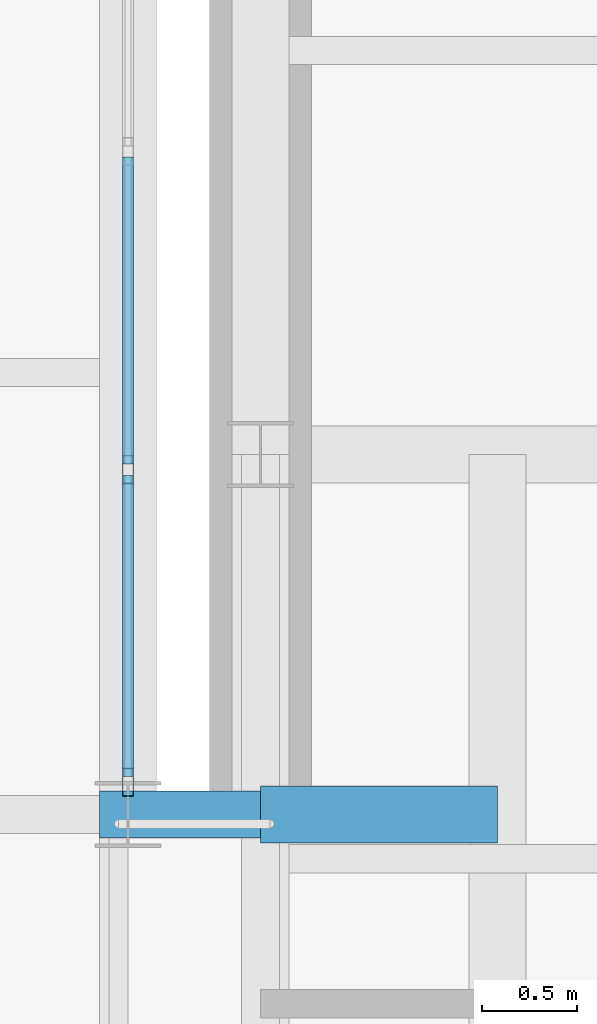
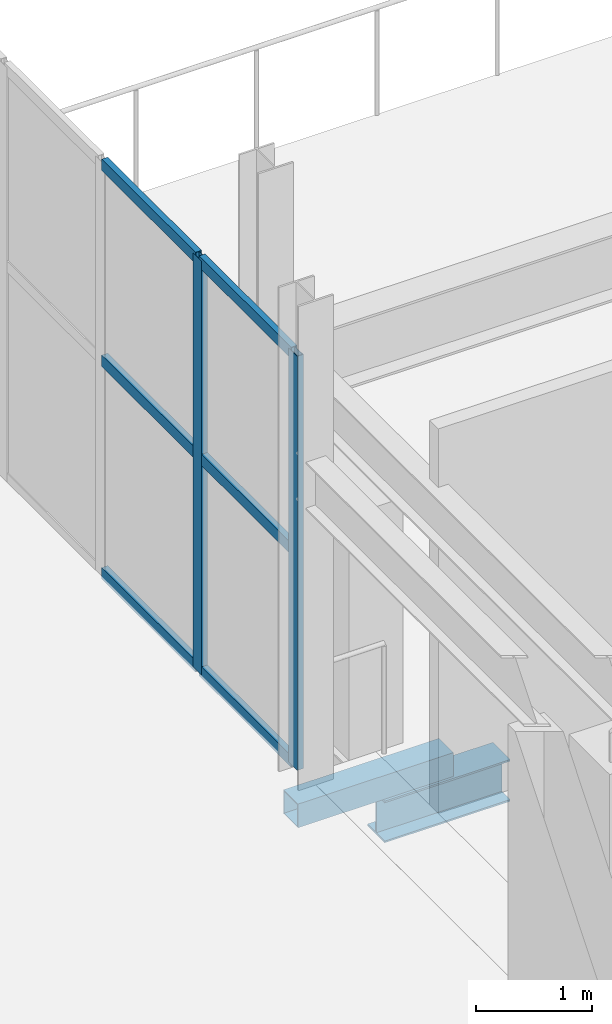
# One storey, part 45 of 218: 9 members, 1 beam, 1 element without a shape of its own.
"""IFC4 building model written with IfcOpenShell, lengths in metres."""

from ifc_helpers import new_model, si_unit, direction, frame, origin, origin_2d, place, context, subcontext, project, spatial, hollow_rectangle, i_section, extrude, material, material_profile, profile_set, type_object, element, aggregate, save


model = new_model("IFC4")

# Units and contexts
model_context = context("Model", 3, precision=1e-05, world=origin(), true_north=direction((0.0, 1.0)))
body_context = subcontext(model_context, "Body", "Model", "MODEL_VIEW")
ifc_project = project(units=[si_unit("LENGTHUNIT", "METRE"), si_unit("AREAUNIT", "SQUARE_METRE"), si_unit("VOLUMEUNIT", "CUBIC_METRE"), si_unit("PLANEANGLEUNIT", "RADIAN"), si_unit("MASSUNIT", "GRAM", prefix="KILO")], contexts=[model_context])

# Site, building, storey
site_placement = place(None, origin())
site = spatial("IfcSite", under=ifc_project, at=site_placement, CompositionType="ELEMENT")
building_placement = place(site_placement, origin())
building = spatial("IfcBuilding", under=site, at=building_placement, Name="Kazenagashi Tramway Depot", CompositionType="ELEMENT")
storey_placement = place(building_placement, frame((0.0, 0.0, 6.0)))
storey = spatial("IfcBuildingStorey", under=building, at=storey_placement, Name="L02", CompositionType="ELEMENT", Elevation=6.0)

# Beam
ifc_material_1 = material(Name="Steel SN490B", Category="steel")
ifc_material_profile_1 = material_profile(ifc_material_1, i_section(OverallWidth=0.3, OverallDepth=0.44, WebThickness=0.011, FlangeThickness=0.018, at=origin_2d()), Name="H-440x300x11x18")
ifc_profile_set_1 = profile_set([ifc_material_profile_1], Name="Steel SN490B")
beam_type = type_object("IfcBeamType", Name="G-06", PredefinedType="BEAM", material=ifc_profile_set_1)
beam_placement = place(storey_placement, frame((44.8, 21.0, -0.65), z_axis=(1.0, 0.0, 0.0), x_axis=(0.0, 1.0, 0.0)))
element("IfcBeam", 1, at=beam_placement, inside=storey, type_object=beam_type, Name="Beam G-06 BM-2360", PredefinedType="BEAM", context=body_context, shape_type="SweptSolid", body=[
    extrude(i_section(OverallWidth=0.3, OverallDepth=0.44, WebThickness=0.011, FlangeThickness=0.018, at=origin_2d()), origin(), (0.0, 0.0, 1.0), 1.25),
])

# Curtain wall, members
ifc_material_2 = material(Name="Anodised Aluminium and Low-E Glazing", Category="aluminium")
curtain_wall_type = type_object("IfcCurtainWallType", Name="CW-34", PredefinedType="USERDEFINED", material=ifc_material_2)
curtain_wall_placement = place(storey_placement, origin())
curtain_wall = element("IfcCurtainWall", 2, at=curtain_wall_placement, inside=storey, type_object=curtain_wall_type, Name="Industrial Glazed Screen CW-34 CW-0186", ObjectType="GLAZED SCREEN", PredefinedType="USERDEFINED")
ifc_material_3 = material(Name="Anodised Aluminium", Category="aluminium")
ifc_material_profile_2 = material_profile(ifc_material_3, hollow_rectangle(XDim=0.06, YDim=0.15, WallThickness=0.004, at=origin_2d()), Name="RHS-150x60x4")
ifc_profile_set_2 = profile_set([ifc_material_profile_2], Name="Anodised Aluminium")
member_type_1 = type_object("IfcMemberType", Name="ML-01", PredefinedType="MULLION", material=ifc_profile_set_2)
member_1_placement = place(storey_placement, frame((44.1, 21.17, 0.0), z_axis=(0.0, 0.0, 1.0), x_axis=(-1.0, 0.0, 0.0)))
member_1 = element("IfcMember", 3, at=member_1_placement, type_object=member_type_1, Name="CW-34 mullion 1", PredefinedType="MULLION", context=body_context, shape_type="SweptSolid", body=[
    extrude(hollow_rectangle(XDim=0.06, YDim=0.15, WallThickness=0.004, at=origin_2d()), origin(), (0.0, 0.0, 1.0), 4.362),
])
member_2_placement = place(storey_placement, frame((44.1, 22.82, 0.0), z_axis=(0.0, 0.0, 1.0), x_axis=(-1.0, 0.0, 0.0)))
member_2 = element("IfcMember", 4, at=member_2_placement, type_object=member_type_1, Name="CW-34 mullion 2", PredefinedType="MULLION", context=body_context, shape_type="SweptSolid", body=[
    extrude(hollow_rectangle(XDim=0.06, YDim=0.15, WallThickness=0.004, at=origin_2d()), origin(), (0.0, 0.0, 1.0), 4.362),
])

# Member
ifc_material_4 = material(Name="Weathering Steel SMA490W", Category="steel")
ifc_material_profile_3 = material_profile(ifc_material_4, hollow_rectangle(XDim=0.25, YDim=0.25, WallThickness=0.009, at=origin_2d()), Name="SHS-250x250x9")
ifc_profile_set_3 = profile_set([ifc_material_profile_3], Name="Weathering Steel SMA490W")
member_type_2 = type_object("IfcMemberType", Name="TC-04", PredefinedType="CHORD", material=ifc_profile_set_3)
member_3_placement = place(storey_placement, frame((43.95, 21.0, -0.305), z_axis=(1.0, 0.0, 0.0), x_axis=(0.0, 1.0, 0.0)))
element("IfcMember", 5, at=member_3_placement, inside=storey, type_object=member_type_2, Name="Link Bridge Truss TC-04 MEM-1553", PredefinedType="CHORD", context=body_context, shape_type="SweptSolid", body=[
    extrude(hollow_rectangle(XDim=0.25, YDim=0.25, WallThickness=0.009, at=origin_2d()), origin(), (0.0, 0.0, 1.0), 1.55),
])

ifc_material_profile_4 = material_profile(ifc_material_3, hollow_rectangle(XDim=0.06, YDim=0.12, WallThickness=0.004, at=origin_2d()), Name="RHS-120x60x4")
ifc_profile_set_4 = profile_set([ifc_material_profile_4], Name="Anodised Aluminium")
member_type_3 = type_object("IfcMemberType", Name="TR-01", PredefinedType="USERDEFINED", material=ifc_profile_set_4)
member_4_placement = place(storey_placement, frame((44.1, 21.2, 0.03), z_axis=(0.0, 1.0, 0.0), x_axis=(-1.0, 0.0, 0.0)))
member_4 = element("IfcMember", 6, at=member_4_placement, type_object=member_type_3, Name="CW-34 transom 1.1", ObjectType="TRANSOM", PredefinedType="USERDEFINED", context=body_context, shape_type="SweptSolid", body=[
    extrude(hollow_rectangle(XDim=0.06, YDim=0.12, WallThickness=0.004, at=origin_2d()), origin(), (0.0, 0.0, 1.0), 1.59),
])

member_5_placement = place(storey_placement, frame((44.1, 21.2, 2.268), z_axis=(0.0, 1.0, 0.0), x_axis=(-1.0, 0.0, 0.0)))
member_5 = element("IfcMember", 7, at=member_5_placement, type_object=member_type_3, Name="CW-34 transom 1.2", ObjectType="TRANSOM", PredefinedType="USERDEFINED", context=body_context, shape_type="SweptSolid", body=[
    extrude(hollow_rectangle(XDim=0.06, YDim=0.12, WallThickness=0.004, at=origin_2d()), origin(), (0.0, 0.0, 1.0), 1.59),
])

member_6_placement = place(storey_placement, frame((44.1, 21.2, 4.332), z_axis=(0.0, 1.0, 0.0), x_axis=(-1.0, 0.0, 0.0)))
member_6 = element("IfcMember", 8, at=member_6_placement, type_object=member_type_3, Name="CW-34 transom 1.3", ObjectType="TRANSOM", PredefinedType="USERDEFINED", context=body_context, shape_type="SweptSolid", body=[
    extrude(hollow_rectangle(XDim=0.06, YDim=0.12, WallThickness=0.004, at=origin_2d()), origin(), (0.0, 0.0, 1.0), 1.59),
])

member_7_placement = place(storey_placement, frame((44.1, 22.85, 0.03), z_axis=(0.0, 1.0, 0.0), x_axis=(-1.0, 0.0, 0.0)))
member_7 = element("IfcMember", 9, at=member_7_placement, type_object=member_type_3, Name="CW-34 transom 2.1", ObjectType="TRANSOM", PredefinedType="USERDEFINED", context=body_context, shape_type="SweptSolid", body=[
    extrude(hollow_rectangle(XDim=0.06, YDim=0.12, WallThickness=0.004, at=origin_2d()), origin(), (0.0, 0.0, 1.0), 1.62),
])

member_8_placement = place(storey_placement, frame((44.1, 22.85, 2.268), z_axis=(0.0, 1.0, 0.0), x_axis=(-1.0, 0.0, 0.0)))
member_8 = element("IfcMember", 10, at=member_8_placement, type_object=member_type_3, Name="CW-34 transom 2.2", ObjectType="TRANSOM", PredefinedType="USERDEFINED", context=body_context, shape_type="SweptSolid", body=[
    extrude(hollow_rectangle(XDim=0.06, YDim=0.12, WallThickness=0.004, at=origin_2d()), origin(), (0.0, 0.0, 1.0), 1.62),
])

member_9_placement = place(storey_placement, frame((44.1, 22.85, 4.332), z_axis=(0.0, 1.0, 0.0), x_axis=(-1.0, 0.0, 0.0)))
member_9 = element("IfcMember", 11, at=member_9_placement, type_object=member_type_3, Name="CW-34 transom 2.3", ObjectType="TRANSOM", PredefinedType="USERDEFINED", context=body_context, shape_type="SweptSolid", body=[
    extrude(hollow_rectangle(XDim=0.06, YDim=0.12, WallThickness=0.004, at=origin_2d()), origin(), (0.0, 0.0, 1.0), 1.62),
])

aggregate(curtain_wall, [member_1, member_2, member_4, member_5, member_6, member_7, member_8, member_9])

save(model, "model.ifc")
